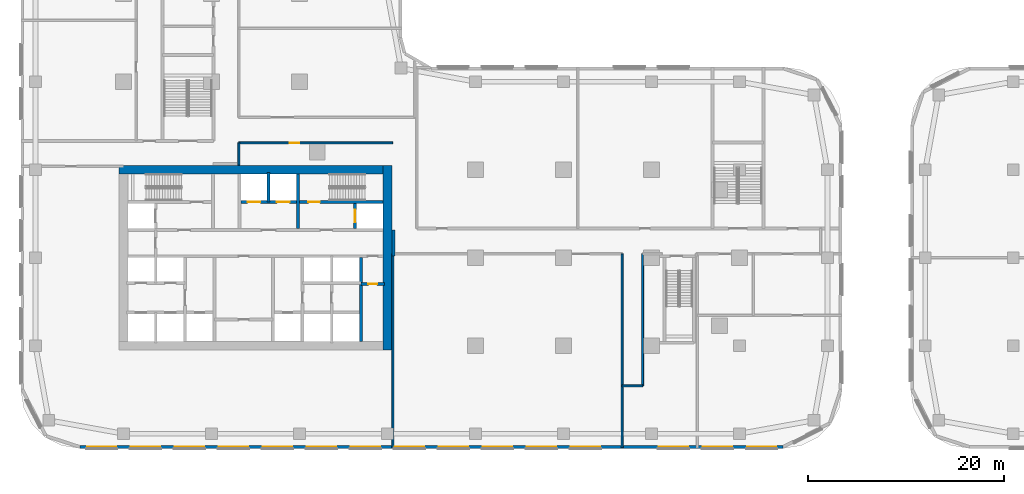
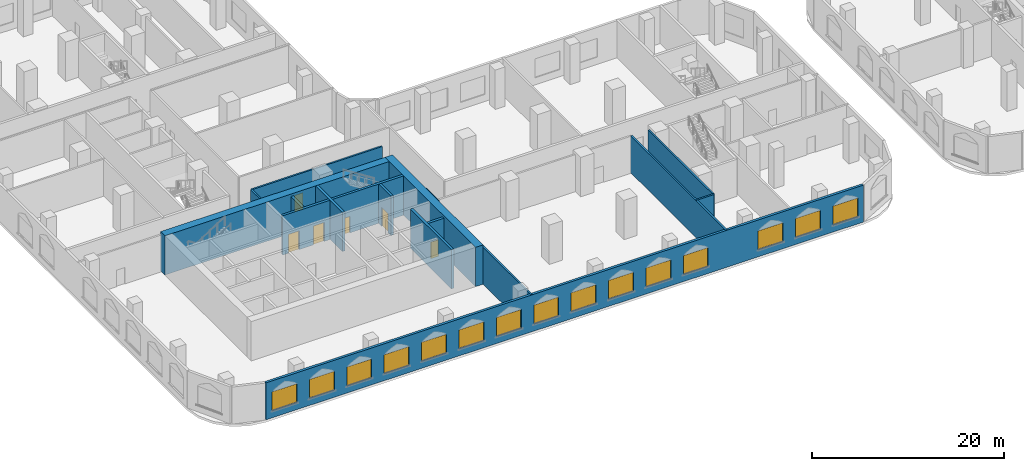
# One storey, part 4 of 31: 16 walls, 15 windows, 6 doors, 21 openings.
"""IFC4 building model written with IfcOpenShell, lengths in metres."""

from ifc_helpers import new_model, si_unit, direction, frame, frame_2d, origin, place, context, subcontext, project, spatial, rectangle, extrude, material, layer, layer_set, type_object, element, fill, save


model = new_model("IFC4")

# Units and contexts
model_context = context("Model", 3, precision=1e-05, world=origin(), true_north=direction((0.0, 1.0)))
body_context = subcontext(model_context, "Body", "Model", "MODEL_VIEW")
ifc_project = project(units=[si_unit("LENGTHUNIT", "METRE"), si_unit("AREAUNIT", "SQUARE_METRE"), si_unit("VOLUMEUNIT", "CUBIC_METRE"), si_unit("PLANEANGLEUNIT", "RADIAN"), si_unit("MASSUNIT", "GRAM", prefix="KILO")], contexts=[model_context])

# Site, building, storey
site_placement = place(None, origin())
site = spatial("IfcSite", under=ifc_project, at=site_placement, CompositionType="ELEMENT")
building_placement = place(site_placement, origin())
building = spatial("IfcBuilding", under=site, at=building_placement, Name="Ogive Portal Towers", CompositionType="ELEMENT")
storey_placement = place(building_placement, frame((0.0, 0.0, 13.5)))
storey = spatial("IfcBuildingStorey", under=building, at=storey_placement, Name="L02", CompositionType="ELEMENT", Elevation=13.5)

# Wall
ifc_material_1 = material(Name="Concrete C60/75", Category="concrete")
ifc_layer_1 = layer(ifc_material_1, 0.300048828125)
ifc_layer_set_1 = layer_set([ifc_layer_1], Name="CORE WALL 300 C60")
wall_type_1 = type_object("IfcWallType", Name="CORE WALL 300 C60", PredefinedType="SHEAR", material=ifc_layer_set_1)
wall_1_placement = place(storey_placement, frame((55.800048828125, 21.949951171875, 0.0), z_axis=(0.0, 0.0, 1.0), x_axis=(0.0, 1.0, 0.0)))
element("IfcWall", 1, at=wall_1_placement, inside=storey, type_object=wall_type_1, Name="Core wall X5 L02", PredefinedType="SHEAR", context=body_context, shape_type="SweptSolid", body=[
    extrude(rectangle(XDim=8.550048828125, YDim=0.300048828125, at=frame_2d((4.27490234375, 0.0))), origin(), (0.0, 0.0, 1.0), 5.0),
])

# Wall, openings, doors
wall_2_placement = place(storey_placement, frame((43.5, 36.199951171875, 0.0), z_axis=(0.0, 0.0, 1.0), x_axis=(1.0, 0.0, 0.0)))
wall_2 = element("IfcWall", 2, at=wall_2_placement, inside=storey, type_object=wall_type_1, Name="Core wall Y3b L02", PredefinedType="SHEAR", context=body_context, shape_type="SweptSolid", body=[
    extrude(rectangle(XDim=14.550048828125, YDim=0.300048828125, at=frame_2d((7.27490234375, 0.0))), origin(), (0.0, 0.0, 1.0), 5.0),
])
opening_1_placement = place(wall_2_placement, frame((6.89990234375, 0.0, 0.0)))
opening_1 = element("IfcOpeningElement", 3, at=opening_1_placement, cuts=wall_2, Name="Opening D104-006", PredefinedType="OPENING", context=body_context, shape_type="SweptSolid", body=[
    extrude(rectangle(XDim=1.199951171875, YDim=2.10009765625, at=frame_2d((0.60009765625, 1.050048828125))), frame((0.0, 0.16015625, 0.0), z_axis=(0.0, -1.0, 0.0), x_axis=(1.0, 0.0, 0.0)), (0.0, 0.0, 1.0), 0.320068359375),
])
opening_2_placement = place(wall_2_placement, frame((0.699951171875, 0.0, 0.0)))
opening_2 = element("IfcOpeningElement", 4, at=opening_2_placement, cuts=wall_2, Name="Opening D104-015", PredefinedType="OPENING", context=body_context, shape_type="SweptSolid", body=[
    extrude(rectangle(XDim=1.300048828125, YDim=2.39990234375, at=frame_2d((0.64990234375, 1.199951171875))), frame((0.0, 0.16015625, 0.0), z_axis=(0.0, -1.0, 0.0), x_axis=(1.0, 0.0, 0.0)), (0.0, 0.0, 1.0), 0.320068359375),
])
opening_3_placement = place(wall_2_placement, frame((3.699951171875, 0.0, 0.0)))
opening_3 = element("IfcOpeningElement", 5, at=opening_3_placement, cuts=wall_2, Name="Opening D104-016", PredefinedType="OPENING", context=body_context, shape_type="SweptSolid", body=[
    extrude(rectangle(XDim=1.300048828125, YDim=2.39990234375, at=frame_2d((0.64990234375, 1.199951171875))), frame((0.0, 0.16015625, 0.0), z_axis=(0.0, -1.0, 0.0), x_axis=(1.0, 0.0, 0.0)), (0.0, 0.0, 1.0), 0.320068359375),
])
ifc_material_2 = material(Name="Stainless steel", Category="steel")
door_type_1 = type_object("IfcDoorType", Name="DT-LD-1300x2400", OperationType="SLIDING_TO_LEFT", PredefinedType="DOOR", material=ifc_material_2)
door_1_placement = place(opening_2_placement, origin())
door_1 = element("IfcDoor", 6, at=door_1_placement, inside=storey, type_object=door_type_1, Name="Door D104-015", OperationType="SLIDING_TO_LEFT", OverallHeight=2.39990234375, OverallWidth=1.300048828125, PredefinedType="DOOR", context=body_context, shape_type="SweptSolid", body=[
    extrude(rectangle(XDim=1.300048828125, YDim=2.39990234375, at=frame_2d((0.64990234375, 1.199951171875))), frame((0.0, 0.02490234375, 0.0), z_axis=(0.0, -1.0, 0.0), x_axis=(1.0, 0.0, 0.0)), (0.0, 0.0, 1.0), 0.050048828125),
])
fill(opening_2, door_1)
door_2_placement = place(opening_3_placement, origin())
door_2 = element("IfcDoor", 7, at=door_2_placement, inside=storey, type_object=door_type_1, Name="Door D104-016", OperationType="SLIDING_TO_LEFT", OverallHeight=2.39990234375, OverallWidth=1.300048828125, PredefinedType="DOOR", context=body_context, shape_type="SweptSolid", body=[
    extrude(rectangle(XDim=1.300048828125, YDim=2.39990234375, at=frame_2d((0.64990234375, 1.199951171875))), frame((0.0, 0.02490234375, 0.0), z_axis=(0.0, -1.0, 0.0), x_axis=(1.0, 0.0, 0.0)), (0.0, 0.0, 1.0), 0.050048828125),
])
fill(opening_3, door_2)
ifc_material_3 = material(Name="Steel fire door", Category="steel")
door_type_2 = type_object("IfcDoorType", Name="DT-SWING-1200x2100-FD90S", OperationType="SINGLE_SWING_LEFT", PredefinedType="DOOR", material=ifc_material_3)
door_3_placement = place(opening_1_placement, origin())
door_3 = element("IfcDoor", 8, at=door_3_placement, inside=storey, type_object=door_type_2, Name="Door D104-006", OperationType="SINGLE_SWING_LEFT", OverallHeight=2.10009765625, OverallWidth=1.199951171875, PredefinedType="DOOR", context=body_context, shape_type="SweptSolid", body=[
    extrude(rectangle(XDim=1.199951171875, YDim=2.10009765625, at=frame_2d((0.60009765625, 1.050048828125))), frame((0.0, 0.02490234375, 0.0), z_axis=(0.0, -1.0, 0.0), x_axis=(1.0, 0.0, 0.0)), (0.0, 0.0, 1.0), 0.050048828125),
])
fill(opening_1, door_3)

# Wall
wall_3_placement = place(storey_placement, frame((49.35009765625, 33.5, 0.0), z_axis=(0.0, 0.0, 1.0), x_axis=(0.0, 1.0, 0.0)))
element("IfcWall", 9, at=wall_3_placement, inside=storey, type_object=wall_type_1, Name="Core wall X9 L02", PredefinedType="SHEAR", context=body_context, shape_type="SweptSolid", body=[
    extrude(rectangle(XDim=5.550048828125, YDim=0.300048828125, at=frame_2d((2.77490234375, 0.0))), origin(), (0.0, 0.0, 1.0), 5.0),
])

# Wall, opening, door
wall_4_placement = place(storey_placement, frame((55.199951171875, 33.5, 0.0), z_axis=(0.0, 0.0, 1.0), x_axis=(0.0, 1.0, 0.0)))
wall_4 = element("IfcWall", 10, at=wall_4_placement, inside=storey, type_object=wall_type_1, Name="Core wall X10 L02", PredefinedType="SHEAR", context=body_context, shape_type="SweptSolid", body=[
    extrude(rectangle(XDim=2.550048828125, YDim=0.300048828125, at=frame_2d((1.27490234375, 0.0))), origin(), (0.0, 0.0, 1.0), 5.0),
])
opening_4_placement = place(wall_4_placement, frame((0.625, 0.0, 0.0)))
opening_4 = element("IfcOpeningElement", 11, at=opening_4_placement, cuts=wall_4, Name="Opening D104-018", PredefinedType="OPENING", context=body_context, shape_type="SweptSolid", body=[
    extrude(rectangle(XDim=1.300048828125, YDim=2.39990234375, at=frame_2d((0.64990234375, 1.199951171875))), frame((0.0, 0.16015625, 0.0), z_axis=(0.0, -1.0, 0.0), x_axis=(1.0, 0.0, 0.0)), (0.0, 0.0, 1.0), 0.320068359375),
])
door_4_placement = place(opening_4_placement, origin())
door_4 = element("IfcDoor", 12, at=door_4_placement, inside=storey, type_object=door_type_1, Name="Door D104-018", OperationType="SLIDING_TO_LEFT", OverallHeight=2.39990234375, OverallWidth=1.300048828125, PredefinedType="DOOR", context=body_context, shape_type="SweptSolid", body=[
    extrude(rectangle(XDim=1.300048828125, YDim=2.39990234375, at=frame_2d((0.64990234375, 1.199951171875))), frame((0.0, 0.02490234375, 0.0), z_axis=(0.0, -1.0, 0.0), x_axis=(1.0, 0.0, 0.0)), (0.0, 0.0, 1.0), 0.050048828125),
])
fill(opening_4, door_4)

# Walls
ifc_layer_2 = layer(ifc_material_1, 0.89990234375)
ifc_layer_set_2 = layer_set([ifc_layer_2], Name="CORE WALL 900 C60")
wall_type_2 = type_object("IfcWallType", Name="CORE WALL 900 C60", PredefinedType="SHEAR", material=ifc_layer_set_2)
wall_5_placement = place(storey_placement, frame((58.5, 21.050048828125, 0.0), z_axis=(0.0, 0.0, 1.0), x_axis=(0.0, 1.0, 0.0)))
element("IfcWall", 13, at=wall_5_placement, inside=storey, type_object=wall_type_2, Name="Core wall E L02", PredefinedType="SHEAR", context=body_context, shape_type="SweptSolid", body=[
    extrude(rectangle(XDim=18.89990234375, YDim=0.89990234375, at=frame_2d((9.449951171875, 0.0))), origin(), (0.0, 0.0, 1.0), 5.0),
])
wall_6_placement = place(storey_placement, frame((31.050048828125, 39.5, 0.0), z_axis=(0.0, 0.0, 1.0), x_axis=(1.0, 0.0, 0.0)))
element("IfcWall", 14, at=wall_6_placement, inside=storey, type_object=wall_type_2, Name="Core wall N L02", PredefinedType="SHEAR", context=body_context, shape_type="SweptSolid", body=[
    extrude(rectangle(XDim=27.0, YDim=0.89990234375, at=frame_2d((13.5, 0.0))), origin(), (0.0, 0.0, 1.0), 5.0),
])

# Wall, openings, windows
ifc_material_4 = material(Name="Limestone cladding on lightweight block wall", Category="masonry")
ifc_layer_3 = layer(ifc_material_4, 0.300048828125)
ifc_layer_set_3 = layer_set([ifc_layer_3], Name="EXTERNAL WALL 300 STONE")
wall_type_3 = type_object("IfcWallType", Name="EXTERNAL WALL 300 STONE", PredefinedType="SOLIDWALL", material=ifc_layer_set_3)
wall_7_placement = place(storey_placement, frame((27.047607421875, 11.14990234375, 0.0), z_axis=(0.0, 0.0, 1.0), x_axis=(1.0, 0.0, 0.0)))
wall_7 = element("IfcWall", 15, at=wall_7_placement, inside=storey, type_object=wall_type_3, Name="A:L02:f02:w0", PredefinedType="SOLIDWALL", context=body_context, shape_type="SweptSolid", body=[
    extrude(rectangle(XDim=71.88037109375, YDim=0.300048828125, at=frame_2d((35.940185546875, 0.0))), origin(), (0.0, 0.0, 1.0), 4.699951171875),
])
opening_5_placement = place(wall_7_placement, frame((0.726318359375, 0.0, 0.89990234375)))
opening_5 = element("IfcOpeningElement", 16, at=opening_5_placement, cuts=wall_7, Name="Opening WN3", PredefinedType="OPENING", context=body_context, shape_type="SweptSolid", body=[
    extrude(rectangle(XDim=3.0, YDim=2.39990234375, at=frame_2d((1.5, 1.199951171875))), frame((0.0, 0.16015625, 0.0), z_axis=(0.0, -1.0, 0.0), x_axis=(1.0, 0.0, 0.0)), (0.0, 0.0, 1.0), 0.320068359375),
])
opening_6_placement = place(wall_7_placement, frame((5.202392578125, 0.0, 0.89990234375)))
opening_6 = element("IfcOpeningElement", 17, at=opening_6_placement, cuts=wall_7, Name="Opening WN3", PredefinedType="OPENING", context=body_context, shape_type="SweptSolid", body=[
    extrude(rectangle(XDim=3.0, YDim=2.39990234375, at=frame_2d((1.5, 1.199951171875))), frame((0.0, 0.16015625, 0.0), z_axis=(0.0, -1.0, 0.0), x_axis=(1.0, 0.0, 0.0)), (0.0, 0.0, 1.0), 0.320068359375),
])
opening_7_placement = place(wall_7_placement, frame((9.702392578125, 0.0, 0.89990234375)))
opening_7 = element("IfcOpeningElement", 18, at=opening_7_placement, cuts=wall_7, Name="Opening WN3", PredefinedType="OPENING", context=body_context, shape_type="SweptSolid", body=[
    extrude(rectangle(XDim=3.0, YDim=2.39990234375, at=frame_2d((1.5, 1.199951171875))), frame((0.0, 0.16015625, 0.0), z_axis=(0.0, -1.0, 0.0), x_axis=(1.0, 0.0, 0.0)), (0.0, 0.0, 1.0), 0.320068359375),
])
opening_8_placement = place(wall_7_placement, frame((14.202392578125, 0.0, 0.89990234375)))
opening_8 = element("IfcOpeningElement", 19, at=opening_8_placement, cuts=wall_7, Name="Opening WN3", PredefinedType="OPENING", context=body_context, shape_type="SweptSolid", body=[
    extrude(rectangle(XDim=3.0, YDim=2.39990234375, at=frame_2d((1.5, 1.199951171875))), frame((0.0, 0.16015625, 0.0), z_axis=(0.0, -1.0, 0.0), x_axis=(1.0, 0.0, 0.0)), (0.0, 0.0, 1.0), 0.320068359375),
])
opening_9_placement = place(wall_7_placement, frame((18.702392578125, 0.0, 0.89990234375)))
opening_9 = element("IfcOpeningElement", 20, at=opening_9_placement, cuts=wall_7, Name="Opening WN3", PredefinedType="OPENING", context=body_context, shape_type="SweptSolid", body=[
    extrude(rectangle(XDim=3.0, YDim=2.39990234375, at=frame_2d((1.5, 1.199951171875))), frame((0.0, 0.16015625, 0.0), z_axis=(0.0, -1.0, 0.0), x_axis=(1.0, 0.0, 0.0)), (0.0, 0.0, 1.0), 0.320068359375),
])
opening_10_placement = place(wall_7_placement, frame((23.202392578125, 0.0, 0.89990234375)))
opening_10 = element("IfcOpeningElement", 21, at=opening_10_placement, cuts=wall_7, Name="Opening WN3", PredefinedType="OPENING", context=body_context, shape_type="SweptSolid", body=[
    extrude(rectangle(XDim=3.0, YDim=2.39990234375, at=frame_2d((1.5, 1.199951171875))), frame((0.0, 0.16015625, 0.0), z_axis=(0.0, -1.0, 0.0), x_axis=(1.0, 0.0, 0.0)), (0.0, 0.0, 1.0), 0.320068359375),
])
opening_11_placement = place(wall_7_placement, frame((27.702392578125, 0.0, 0.89990234375)))
opening_11 = element("IfcOpeningElement", 22, at=opening_11_placement, cuts=wall_7, Name="Opening WN3", PredefinedType="OPENING", context=body_context, shape_type="SweptSolid", body=[
    extrude(rectangle(XDim=3.0, YDim=2.39990234375, at=frame_2d((1.5, 1.199951171875))), frame((0.0, 0.16015625, 0.0), z_axis=(0.0, -1.0, 0.0), x_axis=(1.0, 0.0, 0.0)), (0.0, 0.0, 1.0), 0.320068359375),
])
opening_12_placement = place(wall_7_placement, frame((32.202392578125, 0.0, 0.89990234375)))
opening_12 = element("IfcOpeningElement", 23, at=opening_12_placement, cuts=wall_7, Name="Opening WN3", PredefinedType="OPENING", context=body_context, shape_type="SweptSolid", body=[
    extrude(rectangle(XDim=3.0, YDim=2.39990234375, at=frame_2d((1.5, 1.199951171875))), frame((0.0, 0.16015625, 0.0), z_axis=(0.0, -1.0, 0.0), x_axis=(1.0, 0.0, 0.0)), (0.0, 0.0, 1.0), 0.320068359375),
])
opening_13_placement = place(wall_7_placement, frame((36.702392578125, 0.0, 0.89990234375)))
opening_13 = element("IfcOpeningElement", 24, at=opening_13_placement, cuts=wall_7, Name="Opening WN3", PredefinedType="OPENING", context=body_context, shape_type="SweptSolid", body=[
    extrude(rectangle(XDim=3.0, YDim=2.39990234375, at=frame_2d((1.5, 1.199951171875))), frame((0.0, 0.16015625, 0.0), z_axis=(0.0, -1.0, 0.0), x_axis=(1.0, 0.0, 0.0)), (0.0, 0.0, 1.0), 0.320068359375),
])
opening_14_placement = place(wall_7_placement, frame((41.202392578125, 0.0, 0.89990234375)))
opening_14 = element("IfcOpeningElement", 25, at=opening_14_placement, cuts=wall_7, Name="Opening WN3", PredefinedType="OPENING", context=body_context, shape_type="SweptSolid", body=[
    extrude(rectangle(XDim=3.0, YDim=2.39990234375, at=frame_2d((1.5, 1.199951171875))), frame((0.0, 0.16015625, 0.0), z_axis=(0.0, -1.0, 0.0), x_axis=(1.0, 0.0, 0.0)), (0.0, 0.0, 1.0), 0.320068359375),
])
opening_15_placement = place(wall_7_placement, frame((45.702392578125, 0.0, 0.89990234375)))
opening_15 = element("IfcOpeningElement", 26, at=opening_15_placement, cuts=wall_7, Name="Opening WN3", PredefinedType="OPENING", context=body_context, shape_type="SweptSolid", body=[
    extrude(rectangle(XDim=3.0, YDim=2.39990234375, at=frame_2d((1.5, 1.199951171875))), frame((0.0, 0.16015625, 0.0), z_axis=(0.0, -1.0, 0.0), x_axis=(1.0, 0.0, 0.0)), (0.0, 0.0, 1.0), 0.320068359375),
])
opening_16_placement = place(wall_7_placement, frame((50.202392578125, 0.0, 0.89990234375)))
opening_16 = element("IfcOpeningElement", 27, at=opening_16_placement, cuts=wall_7, Name="Opening WN3", PredefinedType="OPENING", context=body_context, shape_type="SweptSolid", body=[
    extrude(rectangle(XDim=3.0, YDim=2.39990234375, at=frame_2d((1.5, 1.199951171875))), frame((0.0, 0.16015625, 0.0), z_axis=(0.0, -1.0, 0.0), x_axis=(1.0, 0.0, 0.0)), (0.0, 0.0, 1.0), 0.320068359375),
])
opening_17_placement = place(wall_7_placement, frame((59.202392578125, 0.0, 0.89990234375)))
opening_17 = element("IfcOpeningElement", 28, at=opening_17_placement, cuts=wall_7, Name="Opening WN3", PredefinedType="OPENING", context=body_context, shape_type="SweptSolid", body=[
    extrude(rectangle(XDim=3.0, YDim=2.39990234375, at=frame_2d((1.5, 1.199951171875))), frame((0.0, 0.16015625, 0.0), z_axis=(0.0, -1.0, 0.0), x_axis=(1.0, 0.0, 0.0)), (0.0, 0.0, 1.0), 0.320068359375),
])
opening_18_placement = place(wall_7_placement, frame((63.702392578125, 0.0, 0.89990234375)))
opening_18 = element("IfcOpeningElement", 29, at=opening_18_placement, cuts=wall_7, Name="Opening WN3", PredefinedType="OPENING", context=body_context, shape_type="SweptSolid", body=[
    extrude(rectangle(XDim=3.0, YDim=2.39990234375, at=frame_2d((1.5, 1.199951171875))), frame((0.0, 0.16015625, 0.0), z_axis=(0.0, -1.0, 0.0), x_axis=(1.0, 0.0, 0.0)), (0.0, 0.0, 1.0), 0.320068359375),
])
opening_19_placement = place(wall_7_placement, frame((68.226318359375, 0.0, 0.89990234375)))
opening_19 = element("IfcOpeningElement", 30, at=opening_19_placement, cuts=wall_7, Name="Opening WN3", PredefinedType="OPENING", context=body_context, shape_type="SweptSolid", body=[
    extrude(rectangle(XDim=3.0, YDim=2.39990234375, at=frame_2d((1.5, 1.199951171875))), frame((0.0, 0.16015625, 0.0), z_axis=(0.0, -1.0, 0.0), x_axis=(1.0, 0.0, 0.0)), (0.0, 0.0, 1.0), 0.320068359375),
])
ifc_material_5 = material(Name="Glass, clear low-iron insulated glazing", Category="glass")
window_type = type_object("IfcWindowType", Name="WINDOW PODIUM 3000x2400", PartitioningType="SINGLE_PANEL", PredefinedType="WINDOW", material=ifc_material_5)
window_1_placement = place(opening_5_placement, origin())
window_1 = element("IfcWindow", 31, at=window_1_placement, inside=storey, type_object=window_type, Name="A:L02:f02:w0:o0", OverallHeight=2.39990234375, OverallWidth=3.0, PartitioningType="SINGLE_PANEL", PredefinedType="WINDOW", context=body_context, shape_type="SweptSolid", body=[
    extrude(rectangle(XDim=3.0, YDim=2.39990234375, at=frame_2d((1.5, 1.199951171875))), frame((0.0, 0.030029296875, 0.0), z_axis=(0.0, -1.0, 0.0), x_axis=(1.0, 0.0, 0.0)), (0.0, 0.0, 1.0), 0.06005859375),
])
fill(opening_5, window_1)
window_2_placement = place(opening_6_placement, origin())
window_2 = element("IfcWindow", 32, at=window_2_placement, inside=storey, type_object=window_type, Name="A:L02:f02:w0:o1a", OverallHeight=2.39990234375, OverallWidth=3.0, PartitioningType="SINGLE_PANEL", PredefinedType="WINDOW", context=body_context, shape_type="SweptSolid", body=[
    extrude(rectangle(XDim=3.0, YDim=2.39990234375, at=frame_2d((1.5, 1.199951171875))), frame((0.0, 0.030029296875, 0.0), z_axis=(0.0, -1.0, 0.0), x_axis=(1.0, 0.0, 0.0)), (0.0, 0.0, 1.0), 0.06005859375),
])
fill(opening_6, window_2)
window_3_placement = place(opening_7_placement, origin())
window_3 = element("IfcWindow", 33, at=window_3_placement, inside=storey, type_object=window_type, Name="A:L02:f02:w0:o1b", OverallHeight=2.39990234375, OverallWidth=3.0, PartitioningType="SINGLE_PANEL", PredefinedType="WINDOW", context=body_context, shape_type="SweptSolid", body=[
    extrude(rectangle(XDim=3.0, YDim=2.39990234375, at=frame_2d((1.5, 1.199951171875))), frame((0.0, 0.030029296875, 0.0), z_axis=(0.0, -1.0, 0.0), x_axis=(1.0, 0.0, 0.0)), (0.0, 0.0, 1.0), 0.06005859375),
])
fill(opening_7, window_3)
window_4_placement = place(opening_8_placement, origin())
window_4 = element("IfcWindow", 34, at=window_4_placement, inside=storey, type_object=window_type, Name="A:L02:f02:w0:o2a", OverallHeight=2.39990234375, OverallWidth=3.0, PartitioningType="SINGLE_PANEL", PredefinedType="WINDOW", context=body_context, shape_type="SweptSolid", body=[
    extrude(rectangle(XDim=3.0, YDim=2.39990234375, at=frame_2d((1.5, 1.199951171875))), frame((0.0, 0.030029296875, 0.0), z_axis=(0.0, -1.0, 0.0), x_axis=(1.0, 0.0, 0.0)), (0.0, 0.0, 1.0), 0.06005859375),
])
fill(opening_8, window_4)
window_5_placement = place(opening_9_placement, origin())
window_5 = element("IfcWindow", 35, at=window_5_placement, inside=storey, type_object=window_type, Name="A:L02:f02:w0:o2b", OverallHeight=2.39990234375, OverallWidth=3.0, PartitioningType="SINGLE_PANEL", PredefinedType="WINDOW", context=body_context, shape_type="SweptSolid", body=[
    extrude(rectangle(XDim=3.0, YDim=2.39990234375, at=frame_2d((1.5, 1.199951171875))), frame((0.0, 0.030029296875, 0.0), z_axis=(0.0, -1.0, 0.0), x_axis=(1.0, 0.0, 0.0)), (0.0, 0.0, 1.0), 0.06005859375),
])
fill(opening_9, window_5)
window_6_placement = place(opening_10_placement, origin())
window_6 = element("IfcWindow", 36, at=window_6_placement, inside=storey, type_object=window_type, Name="A:L02:f02:w0:o3a", OverallHeight=2.39990234375, OverallWidth=3.0, PartitioningType="SINGLE_PANEL", PredefinedType="WINDOW", context=body_context, shape_type="SweptSolid", body=[
    extrude(rectangle(XDim=3.0, YDim=2.39990234375, at=frame_2d((1.5, 1.199951171875))), frame((0.0, 0.030029296875, 0.0), z_axis=(0.0, -1.0, 0.0), x_axis=(1.0, 0.0, 0.0)), (0.0, 0.0, 1.0), 0.06005859375),
])
fill(opening_10, window_6)
window_7_placement = place(opening_11_placement, origin())
window_7 = element("IfcWindow", 37, at=window_7_placement, inside=storey, type_object=window_type, Name="A:L02:f02:w0:o3b", OverallHeight=2.39990234375, OverallWidth=3.0, PartitioningType="SINGLE_PANEL", PredefinedType="WINDOW", context=body_context, shape_type="SweptSolid", body=[
    extrude(rectangle(XDim=3.0, YDim=2.39990234375, at=frame_2d((1.5, 1.199951171875))), frame((0.0, 0.030029296875, 0.0), z_axis=(0.0, -1.0, 0.0), x_axis=(1.0, 0.0, 0.0)), (0.0, 0.0, 1.0), 0.06005859375),
])
fill(opening_11, window_7)
window_8_placement = place(opening_12_placement, origin())
window_8 = element("IfcWindow", 38, at=window_8_placement, inside=storey, type_object=window_type, Name="A:L02:f02:w0:o4a", OverallHeight=2.39990234375, OverallWidth=3.0, PartitioningType="SINGLE_PANEL", PredefinedType="WINDOW", context=body_context, shape_type="SweptSolid", body=[
    extrude(rectangle(XDim=3.0, YDim=2.39990234375, at=frame_2d((1.5, 1.199951171875))), frame((0.0, 0.030029296875, 0.0), z_axis=(0.0, -1.0, 0.0), x_axis=(1.0, 0.0, 0.0)), (0.0, 0.0, 1.0), 0.06005859375),
])
fill(opening_12, window_8)
window_9_placement = place(opening_13_placement, origin())
window_9 = element("IfcWindow", 39, at=window_9_placement, inside=storey, type_object=window_type, Name="A:L02:f02:w0:o4b", OverallHeight=2.39990234375, OverallWidth=3.0, PartitioningType="SINGLE_PANEL", PredefinedType="WINDOW", context=body_context, shape_type="SweptSolid", body=[
    extrude(rectangle(XDim=3.0, YDim=2.39990234375, at=frame_2d((1.5, 1.199951171875))), frame((0.0, 0.030029296875, 0.0), z_axis=(0.0, -1.0, 0.0), x_axis=(1.0, 0.0, 0.0)), (0.0, 0.0, 1.0), 0.06005859375),
])
fill(opening_13, window_9)
window_10_placement = place(opening_14_placement, origin())
window_10 = element("IfcWindow", 40, at=window_10_placement, inside=storey, type_object=window_type, Name="A:L02:f02:w0:o5a", OverallHeight=2.39990234375, OverallWidth=3.0, PartitioningType="SINGLE_PANEL", PredefinedType="WINDOW", context=body_context, shape_type="SweptSolid", body=[
    extrude(rectangle(XDim=3.0, YDim=2.39990234375, at=frame_2d((1.5, 1.199951171875))), frame((0.0, 0.030029296875, 0.0), z_axis=(0.0, -1.0, 0.0), x_axis=(1.0, 0.0, 0.0)), (0.0, 0.0, 1.0), 0.06005859375),
])
fill(opening_14, window_10)
window_11_placement = place(opening_15_placement, origin())
window_11 = element("IfcWindow", 41, at=window_11_placement, inside=storey, type_object=window_type, Name="A:L02:f02:w0:o5b", OverallHeight=2.39990234375, OverallWidth=3.0, PartitioningType="SINGLE_PANEL", PredefinedType="WINDOW", context=body_context, shape_type="SweptSolid", body=[
    extrude(rectangle(XDim=3.0, YDim=2.39990234375, at=frame_2d((1.5, 1.199951171875))), frame((0.0, 0.030029296875, 0.0), z_axis=(0.0, -1.0, 0.0), x_axis=(1.0, 0.0, 0.0)), (0.0, 0.0, 1.0), 0.06005859375),
])
fill(opening_15, window_11)
window_12_placement = place(opening_16_placement, origin())
window_12 = element("IfcWindow", 42, at=window_12_placement, inside=storey, type_object=window_type, Name="A:L02:f02:w0:o6a", OverallHeight=2.39990234375, OverallWidth=3.0, PartitioningType="SINGLE_PANEL", PredefinedType="WINDOW", context=body_context, shape_type="SweptSolid", body=[
    extrude(rectangle(XDim=3.0, YDim=2.39990234375, at=frame_2d((1.5, 1.199951171875))), frame((0.0, 0.030029296875, 0.0), z_axis=(0.0, -1.0, 0.0), x_axis=(1.0, 0.0, 0.0)), (0.0, 0.0, 1.0), 0.06005859375),
])
fill(opening_16, window_12)
window_13_placement = place(opening_17_placement, origin())
window_13 = element("IfcWindow", 43, at=window_13_placement, inside=storey, type_object=window_type, Name="A:L02:f02:w0:o7a", OverallHeight=2.39990234375, OverallWidth=3.0, PartitioningType="SINGLE_PANEL", PredefinedType="WINDOW", context=body_context, shape_type="SweptSolid", body=[
    extrude(rectangle(XDim=3.0, YDim=2.39990234375, at=frame_2d((1.5, 1.199951171875))), frame((0.0, 0.030029296875, 0.0), z_axis=(0.0, -1.0, 0.0), x_axis=(1.0, 0.0, 0.0)), (0.0, 0.0, 1.0), 0.06005859375),
])
fill(opening_17, window_13)
window_14_placement = place(opening_18_placement, origin())
window_14 = element("IfcWindow", 44, at=window_14_placement, inside=storey, type_object=window_type, Name="A:L02:f02:w0:o7b", OverallHeight=2.39990234375, OverallWidth=3.0, PartitioningType="SINGLE_PANEL", PredefinedType="WINDOW", context=body_context, shape_type="SweptSolid", body=[
    extrude(rectangle(XDim=3.0, YDim=2.39990234375, at=frame_2d((1.5, 1.199951171875))), frame((0.0, 0.030029296875, 0.0), z_axis=(0.0, -1.0, 0.0), x_axis=(1.0, 0.0, 0.0)), (0.0, 0.0, 1.0), 0.06005859375),
])
fill(opening_18, window_14)
window_15_placement = place(opening_19_placement, origin())
window_15 = element("IfcWindow", 45, at=window_15_placement, inside=storey, type_object=window_type, Name="A:L02:f02:w0:o8", OverallHeight=2.39990234375, OverallWidth=3.0, PartitioningType="SINGLE_PANEL", PredefinedType="WINDOW", context=body_context, shape_type="SweptSolid", body=[
    extrude(rectangle(XDim=3.0, YDim=2.39990234375, at=frame_2d((1.5, 1.199951171875))), frame((0.0, 0.030029296875, 0.0), z_axis=(0.0, -1.0, 0.0), x_axis=(1.0, 0.0, 0.0)), (0.0, 0.0, 1.0), 0.06005859375),
])
fill(opening_19, window_15)

# Wall
ifc_material_6 = material(Name="Gypsum board partition on steel studs", Category="steel")
ifc_layer_4 = layer(ifc_material_6, 0.199951171875)
ifc_layer_set_4 = layer_set([ifc_layer_4], Name="WT-PART-200-EI 60")
wall_type_4 = type_object("IfcWallType", Name="WT-PART-200-EI 60", PredefinedType="PARTITIONING", material=ifc_layer_set_4)
wall_8_placement = place(storey_placement, frame((82.5, 17.39990234375, 0.0), z_axis=(0.0, 0.0, 1.0), x_axis=(1.0, 0.0, 0.0)))
element("IfcWall", 46, at=wall_8_placement, inside=storey, type_object=wall_type_4, Name="Wall L02:w001", PredefinedType="PARTITIONING", context=body_context, shape_type="SweptSolid", body=[
    extrude(rectangle(XDim=2.10009765625, YDim=0.199951171875, at=frame_2d((1.050048828125, 0.0))), origin(), (0.0, 0.0, 1.0), 4.699951171875),
])

# Wall, opening, door
wall_9_placement = place(storey_placement, frame((43.300048828125, 42.25, 0.0), z_axis=(0.0, 0.0, 1.0), x_axis=(1.0, 0.0, 0.0)))
wall_9 = element("IfcWall", 47, at=wall_9_placement, inside=storey, type_object=wall_type_4, Name="Wall L02:w027", PredefinedType="PARTITIONING", context=body_context, shape_type="SweptSolid", body=[
    extrude(rectangle(XDim=15.719970703125, YDim=0.199951171875, at=frame_2d((7.85986328125, 0.0))), origin(), (0.0, 0.0, 1.0), 4.699951171875),
])
opening_20_placement = place(wall_9_placement, frame((5.199951171875, 0.0, 0.0)))
opening_20 = element("IfcOpeningElement", 48, at=opening_20_placement, cuts=wall_9, Name="Opening P02-006", PredefinedType="OPENING", context=body_context, shape_type="SweptSolid", body=[
    extrude(rectangle(XDim=1.0, YDim=2.10009765625, at=frame_2d((0.5, 1.050048828125))), frame((0.0, 0.10986328125, 0.0), z_axis=(0.0, -1.0, 0.0), x_axis=(1.0, 0.0, 0.0)), (0.0, 0.0, 1.0), 0.219970703125),
])
door_type_3 = type_object("IfcDoorType", Name="DT-SWING-1000x2100-FD60S", OperationType="SINGLE_SWING_LEFT", PredefinedType="DOOR", material=ifc_material_3)
door_5_placement = place(opening_20_placement, origin())
door_5 = element("IfcDoor", 49, at=door_5_placement, inside=storey, type_object=door_type_3, Name="Door P02-006", OperationType="SINGLE_SWING_RIGHT", OverallHeight=2.10009765625, OverallWidth=1.0, PredefinedType="DOOR", context=body_context, shape_type="SweptSolid", body=[
    extrude(rectangle(XDim=1.0, YDim=2.10009765625, at=frame_2d((0.5, 1.050048828125))), frame((0.0, 0.02490234375, 0.0), z_axis=(0.0, -1.0, 0.0), x_axis=(1.0, 0.0, 0.0)), (0.0, 0.0, 1.0), 0.050048828125),
])
fill(opening_20, door_5)

# Walls
wall_10_placement = place(storey_placement, frame((43.300048828125, 39.969970703125, 0.0), z_axis=(0.0, 0.0, 1.0), x_axis=(0.0, 1.0, 0.0)))
element("IfcWall", 50, at=wall_10_placement, inside=storey, type_object=wall_type_4, Name="Wall L02:w068", PredefinedType="PARTITIONING", context=body_context, shape_type="SweptSolid", body=[
    extrude(rectangle(XDim=2.280029296875, YDim=0.199951171875, at=frame_2d((1.14013671875, 0.0))), origin(), (0.0, 0.0, 1.0), 4.699951171875),
])
for number, where, z_axis, x_axis, name in (
    (51, (59.050048828125, 11.070068359375, 0.0), (0.0, 0.0, 1.0), (0.0, 1.0, 0.0), "Wall L02:w075"),
    (52, (82.5, 11.070068359375, 0.0), (0.0, 0.0, 1.0), (0.0, 1.0, 0.0), "Wall L02:w079"),
):
    element("IfcWall", number, at=place(storey_placement, frame(where, z_axis=z_axis, x_axis=x_axis)), inside=storey, type_object=wall_type_4, Name=name, PredefinedType="PARTITIONING", context=body_context, shape_type="SweptSolid", body=[
        extrude(rectangle(XDim=19.829833984375, YDim=0.199951171875, at=frame_2d((9.9150390625, 0.0))), origin(), (0.0, 0.0, 1.0), 4.699951171875),
    ])
wall_11_placement = place(storey_placement, frame((84.60009765625, 17.39990234375, 0.0), z_axis=(0.0, 0.0, 1.0), x_axis=(0.0, 1.0, 0.0)))
element("IfcWall", 53, at=wall_11_placement, inside=storey, type_object=wall_type_4, Name="Wall L02:w080", PredefinedType="PARTITIONING", context=body_context, shape_type="SweptSolid", body=[
    extrude(rectangle(XDim=13.5, YDim=0.199951171875, at=frame_2d((6.75, 0.0))), origin(), (0.0, 0.0, 1.0), 4.699951171875),
])

# Wall, opening, door
ifc_layer_5 = layer(ifc_material_6, 0.300048828125)
ifc_layer_set_5 = layer_set([ifc_layer_5], Name="WT-PART-300")
wall_type_5 = type_object("IfcWallType", Name="WT-PART-300", PredefinedType="PARTITIONING", material=ifc_layer_set_5)
wall_12_placement = place(storey_placement, frame((55.800048828125, 27.800048828125, 0.0), z_axis=(0.0, 0.0, 1.0), x_axis=(1.0, 0.0, 0.0)))
wall_12 = element("IfcWall", 54, at=wall_12_placement, inside=storey, type_object=wall_type_5, Name="Wall pw:004:L02", PredefinedType="PARTITIONING", context=body_context, shape_type="SweptSolid", body=[
    extrude(rectangle(XDim=2.39990234375, YDim=0.300048828125, at=frame_2d((1.199951171875, 0.0))), origin(), (0.0, 0.0, 1.0), 4.699951171875),
])
opening_21_placement = place(wall_12_placement, frame((0.75, 0.0, 0.0)))
opening_21 = element("IfcOpeningElement", 55, at=opening_21_placement, cuts=wall_12, Name="Opening D104-010", PredefinedType="OPENING", context=body_context, shape_type="SweptSolid", body=[
    extrude(rectangle(XDim=0.89990234375, YDim=2.10009765625, at=frame_2d((0.449951171875, 1.050048828125))), frame((0.0, 0.16015625, 0.0), z_axis=(0.0, -1.0, 0.0), x_axis=(1.0, 0.0, 0.0)), (0.0, 0.0, 1.0), 0.320068359375),
])
door_type_4 = type_object("IfcDoorType", Name="DT-SWING-900x2100-FD60S", OperationType="SINGLE_SWING_LEFT", PredefinedType="DOOR", material=ifc_material_3)
door_6_placement = place(opening_21_placement, origin())
door_6 = element("IfcDoor", 56, at=door_6_placement, inside=storey, type_object=door_type_4, Name="Door D104-010", OperationType="SINGLE_SWING_RIGHT", OverallHeight=2.10009765625, OverallWidth=0.89990234375, PredefinedType="DOOR", context=body_context, shape_type="SweptSolid", body=[
    extrude(rectangle(XDim=0.89990234375, YDim=2.10009765625, at=frame_2d((0.449951171875, 1.050048828125))), frame((0.0, 0.02490234375, 0.0), z_axis=(0.0, -1.0, 0.0), x_axis=(1.0, 0.0, 0.0)), (0.0, 0.0, 1.0), 0.050048828125),
])
fill(opening_21, door_6)

# Walls
wall_13_placement = place(storey_placement, frame((59.10009765625, 30.64990234375, 0.0), z_axis=(0.0, 0.0, 1.0), x_axis=(0.0, 1.0, 0.0)))
element("IfcWall", 57, at=wall_13_placement, inside=storey, type_object=wall_type_5, Name="Wall pw:016:L02", PredefinedType="PARTITIONING", context=body_context, shape_type="SweptSolid", body=[
    extrude(rectangle(XDim=2.7001953125, YDim=0.300048828125, at=frame_2d((1.35009765625, 0.0))), origin(), (0.0, 0.0, 1.0), 4.699951171875),
])
ifc_material_7 = material(Name="Concrete C40/50", Category="concrete")
ifc_layer_6 = layer(ifc_material_7, 0.300048828125)
ifc_layer_set_6 = layer_set([ifc_layer_6], Name="WT-SHAFT-300")
wall_type_6 = type_object("IfcWallType", Name="WT-SHAFT-300", PredefinedType="SOLIDWALL", material=ifc_layer_set_6)
wall_14_placement = place(storey_placement, frame((46.35009765625, 36.199951171875, 0.0), z_axis=(0.0, 0.0, 1.0), x_axis=(0.0, 1.0, 0.0)))
element("IfcWall", 58, at=wall_14_placement, inside=storey, type_object=wall_type_6, Name="Wall pw:014:L02", PredefinedType="SOLIDWALL", context=body_context, shape_type="SweptSolid", body=[
    extrude(rectangle(XDim=3.0, YDim=0.300048828125, at=frame_2d((1.5, 0.0))), origin(), (0.0, 0.0, 1.0), 4.699951171875),
])

save(model, "model.ifc")
